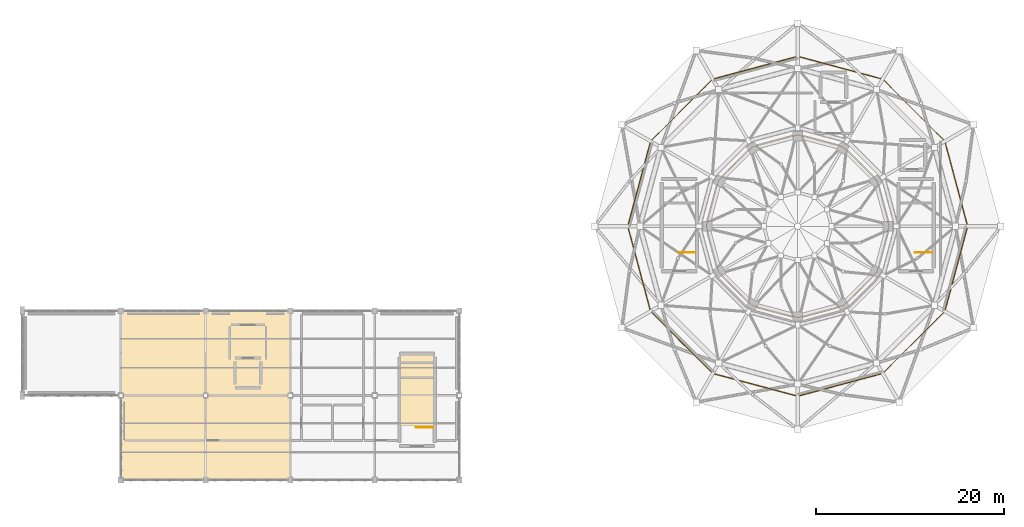
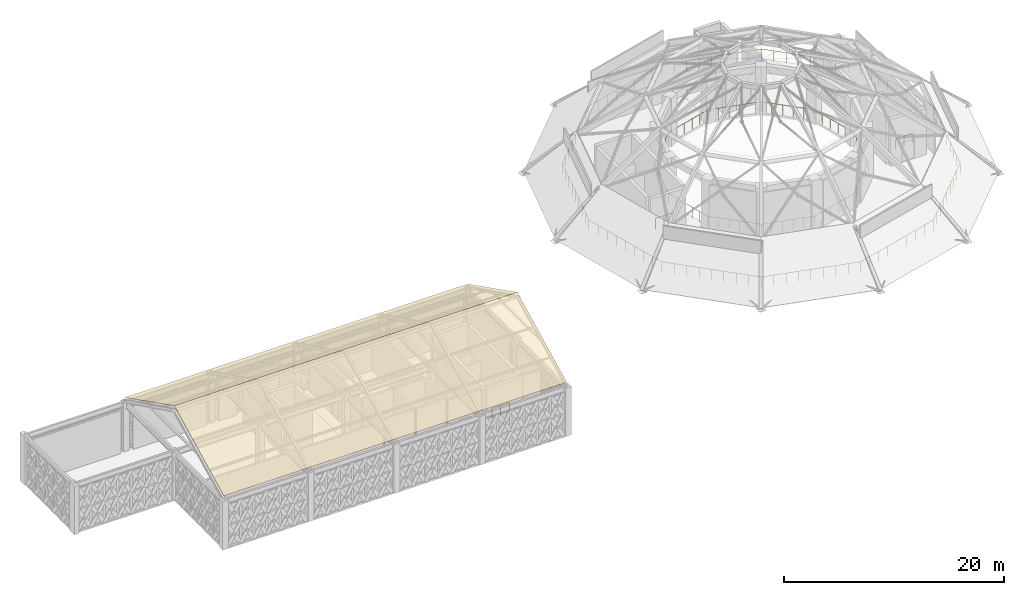
# One storey, part 32 of 32: 5 railings, 2 coverings.
"""IFC4 building model written with IfcOpenShell, lengths in metres."""

import ifcopenshell
import ifcopenshell.guid

model = None  # the IFC model being written
_history = None  # IfcOwnerHistory: only IFC2X3 demands one
_inside = {}  # id of a spatial element -> (the spatial element, [elements in it])
_under = {}  # id of a project, library or spatial element -> (it, [spatial elements below it])
_declared = {}  # id of a project -> (the project, [libraries it declares])
_typed = {}  # id of a type object -> (the type object, [elements of that type])
_made_of = {}  # id of a material, layer set ... -> (it, [elements and type objects made of it])


def new_model(schema):
    """Start an empty IFC model of exactly this schema.

    Asked for "IFC4X3", IfcOpenShell would pick the latest addendum, in which some entities
    have other attributes; the version numbers below select the first issue.
    IFC2X3 requires an IfcOwnerHistory on every rooted entity: one is made here for all.
    """
    global model, _history
    if schema == "IFC4X3":
        model = ifcopenshell.file(schema_version=(4, 3, 0, 0))
    else:
        model = ifcopenshell.file(schema=schema)
    _inside.clear()
    _under.clear()
    _declared.clear()
    _typed.clear()
    _made_of.clear()
    _history = None
    if model.schema == "IFC2X3":
        org = make("IfcOrganization", Name="unknown")
        user = make(
            "IfcPersonAndOrganization",
            ThePerson=make("IfcPerson", FamilyName="unknown"),
            TheOrganization=org,
        )
        app = make(
            "IfcApplication",
            ApplicationDeveloper=org,
            Version="unknown",
            ApplicationFullName="unknown",
            ApplicationIdentifier="unknown",
        )
        _history = make(
            "IfcOwnerHistory",
            OwningUser=user,
            OwningApplication=app,
            ChangeAction="ADDED",
            CreationDate=0,
        )
    return model


def make(cls, **values):
    """One entity of the class cls with the attributes given. An attribute that is None is left unset."""
    return model.create_entity(
        cls, **{name: value for name, value in values.items() if value is not None}
    )


def rooted(cls, **values):
    """An entity with a GlobalId (a new one), such as an element, a storey or a relation."""
    return make(cls, GlobalId=ifcopenshell.guid.new(), OwnerHistory=_history, **values)


def si_unit(unit_type, name, prefix=None):
    """IfcSIUnit, for example si_unit("LENGTHUNIT", "METRE", prefix="MILLI")."""
    return make("IfcSIUnit", UnitType=unit_type, Prefix=prefix, Name=name)


def assignment(units):
    """IfcUnitAssignment: the units of a project."""
    return None if units is None else make("IfcUnitAssignment", Units=units)


def point(xyz):
    """IfcCartesianPoint."""
    return None if xyz is None else make("IfcCartesianPoint", Coordinates=xyz)


def direction(xyz):
    """IfcDirection."""
    return None if xyz is None else make("IfcDirection", DirectionRatios=xyz)


def frame(location, z_axis=None, x_axis=None):
    """IfcAxis2Placement3D, a coordinate frame: its origin and axes. An axis left out is left unset."""
    return make(
        "IfcAxis2Placement3D",
        Location=point(location),
        Axis=direction(z_axis),
        RefDirection=direction(x_axis),
    )


def frame_2d(location, x_axis=None):
    """IfcAxis2Placement2D, a coordinate frame in the plane: its origin and x axis."""
    return make(
        "IfcAxis2Placement2D", Location=point(location), RefDirection=direction(x_axis)
    )


def origin():
    """The frame at (0, 0, 0) with its axes left unset."""
    return frame((0.0, 0.0, 0.0))


def origin_2d():
    """The frame at (0, 0) in the plane with its x axis left unset."""
    return frame_2d((0.0, 0.0))


def place(relative_to, where):
    """IfcLocalPlacement: puts the frame where relative to a parent placement (None: the world)."""
    return make(
        "IfcLocalPlacement", PlacementRelTo=relative_to, RelativePlacement=where
    )


def context(
    kind, dimensions, precision=None, world=None, true_north=None, identifier=None
):
    """IfcGeometricRepresentationContext, for example the 3D "Model" context."""
    return make(
        "IfcGeometricRepresentationContext",
        ContextIdentifier=identifier,
        ContextType=kind,
        CoordinateSpaceDimension=dimensions,
        Precision=precision,
        WorldCoordinateSystem=world,
        TrueNorth=true_north,
    )


def subcontext(parent, identifier, kind, view, scale=None):
    """IfcGeometricRepresentationSubContext, for example "Body" below "Model"."""
    return make(
        "IfcGeometricRepresentationSubContext",
        ContextIdentifier=identifier,
        ContextType=kind,
        ParentContext=parent,
        TargetScale=scale,
        TargetView=view,
    )


def project(units=None, contexts=None):
    """IfcProject with its units and contexts."""
    return rooted(
        "IfcProject",
        Name="project",
        RepresentationContexts=contexts,
        UnitsInContext=assignment(units),
    )


def spatial(cls, under=None, at=None, **own):
    """A site, building, storey or space (cls), placed at a placement, below another one or the project."""
    s = rooted(cls, ObjectPlacement=at, **own)
    if under is not None:
        _under.setdefault(under.id(), (under, []))[1].append(s)
    return s


def polyline(points):
    """IfcPolyline through the points."""
    return make("IfcPolyline", Points=[point(p) for p in points])


def profile(cls, at=None, kind="AREA", **sizes):
    """A parametric profile (cls). Its sizes go by their IFC names, for example OverallWidth=200.0."""
    return make(cls, ProfileType=kind, Position=at, **sizes)


def circle(**sizes):
    """IfcCircleProfileDef."""
    return profile("IfcCircleProfileDef", **sizes)


def outline(outer, holes=None, kind="AREA"):
    """IfcArbitraryClosedProfileDef: a profile drawn as a closed curve; with holes, ...WithVoids."""
    if holes is None:
        return make("IfcArbitraryClosedProfileDef", ProfileType=kind, OuterCurve=outer)
    return make(
        "IfcArbitraryProfileDefWithVoids",
        ProfileType=kind,
        OuterCurve=outer,
        InnerCurves=holes,
    )


def extrude(swept, where, along, depth):
    """IfcExtrudedAreaSolid: the profile swept, set in the frame where, extruded along a direction by depth."""
    return make(
        "IfcExtrudedAreaSolid",
        SweptArea=swept,
        Position=where,
        ExtrudedDirection=direction(along),
        Depth=depth,
    )


def shape(context_of_items, identifier, shape_type, items):
    """IfcShapeRepresentation: the items that make up one representation, for example the "Body"."""
    return make(
        "IfcShapeRepresentation",
        ContextOfItems=context_of_items,
        RepresentationIdentifier=identifier,
        RepresentationType=shape_type,
        Items=items,
    )


def material(Name=None, Category=None):
    """IfcMaterial."""
    return make("IfcMaterial", Name=Name, Category=Category)


def made_of(thing, what):
    """Note that an element or type object is made of a material, layer set ...; save() writes the relation."""
    if what is not None:
        _made_of.setdefault(what.id(), (what, []))[1].append(thing)
    return thing


def type_object(cls, material=None, **own):
    """A type object (cls), such as IfcWallType, which elements share."""
    return made_of(rooted(cls, **own), material)


def element(
    cls,
    number,
    at=None,
    inside=None,
    cuts=None,
    type_object=None,
    material=None,
    context=None,
    identifier="Body",
    shape_type=None,
    held_by="IfcProductDefinitionShape",
    body=None,
    shapes=None,
    **own,
):
    """One element of the class cls, such as IfcWall. Its Tag is "e" and its number.

    at: its placement. inside: the storey or other place that contains it. cuts: it is an
    opening in that element (IfcRelVoidsElement). A single representation is given by context,
    identifier, shape_type and body (its items); several are given by shapes. held_by: the class
    of the entity that holds the representations. save() writes the other relations.
    """
    e = rooted(cls, Tag="e%d" % number, ObjectPlacement=at, **own)
    if body is not None:
        shapes = [shape(context, identifier, shape_type, body)]
    if shapes is not None:
        e.Representation = make(held_by, Representations=shapes)
    if inside is not None:
        _inside.setdefault(inside.id(), (inside, []))[1].append(e)
    if cuts is not None:
        rooted(
            "IfcRelVoidsElement", RelatingBuildingElement=cuts, RelatedOpeningElement=e
        )
    if type_object is not None:
        _typed.setdefault(type_object.id(), (type_object, []))[1].append(e)
    return made_of(e, material)


def aggregate(whole, parts):
    """IfcRelAggregates: a whole, such as a stair, and the parts it consists of."""
    return rooted("IfcRelAggregates", RelatingObject=whole, RelatedObjects=parts)


def save(model, path):
    """Write the relations noted so far, then the file.

    IfcRelAggregates (storeys below a building ...), IfcRelContainedInSpatialStructure (elements
    in a storey), IfcRelDefinesByType, IfcRelAssociatesMaterial and IfcRelDeclares: one each for
    every whole, place, type object, material and project.
    """
    for whole, parts in _under.values():
        aggregate(whole, parts)
    for where, things in _inside.values():
        rooted(
            "IfcRelContainedInSpatialStructure",
            RelatedElements=things,
            RelatingStructure=where,
        )
    for kind, things in _typed.values():
        rooted("IfcRelDefinesByType", RelatedObjects=things, RelatingType=kind)
    for what, things in _made_of.values():
        rooted("IfcRelAssociatesMaterial", RelatedObjects=things, RelatingMaterial=what)
    for by, libraries in _declared.values():
        rooted("IfcRelDeclares", RelatingContext=by, RelatedDefinitions=libraries)
    model.write(path)


model = new_model("IFC4")

# Units and contexts
model_context = context("Model", 3, precision=1e-05, world=origin(), true_north=direction((0.0, 1.0)))
body_context = subcontext(model_context, "Body", "Model", "MODEL_VIEW")
ifc_project = project(units=[si_unit("LENGTHUNIT", "METRE"), si_unit("AREAUNIT", "SQUARE_METRE"), si_unit("VOLUMEUNIT", "CUBIC_METRE"), si_unit("PLANEANGLEUNIT", "RADIAN"), si_unit("MASSUNIT", "GRAM", prefix="KILO")], contexts=[model_context])

# Site, building, storey
site_placement = place(None, origin())
site = spatial("IfcSite", under=ifc_project, at=site_placement, CompositionType="ELEMENT")
building_placement = place(site_placement, origin())
building = spatial("IfcBuilding", under=site, at=building_placement, Name="Haizhuo Lancet Aquarium", CompositionType="ELEMENT")
storey_placement = place(building_placement, frame((0.0, 0.0, 27.0)))
storey = spatial("IfcBuildingStorey", under=building, at=storey_placement, Name="L05", CompositionType="ELEMENT", Elevation=27.0)

# Railings
ifc_material_1 = material(Name="Steel S355", Category="steel")
railing_type_1 = type_object("IfcRailingType", Name="RL-BAL-1150", PredefinedType="BALUSTRADE", material=ifc_material_1)
railing_1_placement = place(storey_placement, frame((18.080078125, 0.0, 0.0)))
element("IfcRailing", 1, at=railing_1_placement, inside=storey, type_object=railing_type_1, Name="L05 Ocean Tank dome observation ring balustrade", PredefinedType="BALUSTRADE", context=body_context, shape_type="SweptSolid", body=[
    extrude(circle(Radius=0.02392578125, at=origin_2d()), frame((-0.0078125, 0.029052734375, 1.1259765625), z_axis=(-0.258803889234, 0.965929887164, 0.0), x_axis=(-0.965929887164, -0.258803889234, 0.0)), (0.0, 0.0, 1.0), 9.298828125),
    extrude(circle(Radius=0.02392578125, at=origin_2d()), frame((-2.443359375, 9.061279296875, 1.1259765625), z_axis=(-0.707106781187, 0.707106781187, 0.0), x_axis=(-0.707106781187, -0.707106781187, 0.0)), (0.0, 0.0, 1.0), 9.299072265625),
    extrude(circle(Radius=0.02392578125, at=origin_2d()), frame((-9.069091796875, 15.665771484375, 1.1259765625), z_axis=(-0.965929887164, 0.258803889234, 0.0), x_axis=(-0.258803889234, -0.965929887164, 0.0)), (0.0, 0.0, 1.0), 9.298828125),
    extrude(circle(Radius=0.02392578125, at=origin_2d()), frame((-18.109130859375, 18.072265625, 1.1259765625), z_axis=(-0.965929887164, -0.258803889234, 0.0), x_axis=(0.258803889234, -0.965929887164, 0.0)), (0.0, 0.0, 1.0), 9.298828125),
    extrude(circle(Radius=0.02392578125, at=origin_2d()), frame((-27.141357421875, 15.63671875, 1.1259765625), z_axis=(-0.707106781187, -0.707106781187, 0.0), x_axis=(0.707106781187, -0.707106781187, 0.0)), (0.0, 0.0, 1.0), 9.299072265625),
    extrude(circle(Radius=0.02392578125, at=origin_2d()), frame((-33.745849609375, 9.010986328125, 1.1259765625), z_axis=(-0.258803889234, -0.965929887164, 0.0), x_axis=(0.965929887164, -0.258803889234, 0.0)), (0.0, 0.0, 1.0), 9.298828125),
    extrude(circle(Radius=0.02392578125, at=origin_2d()), frame((-36.15234375, -0.029052734375, 1.1259765625), z_axis=(0.258803889234, -0.965929887164, 0.0), x_axis=(0.965929887164, 0.258803889234, 0.0)), (0.0, 0.0, 1.0), 9.298828125),
    extrude(circle(Radius=0.02392578125, at=origin_2d()), frame((-33.716796875, -9.061279296875, 1.1259765625), z_axis=(0.707106781187, -0.707106781187, 0.0), x_axis=(0.707106781187, 0.707106781187, 0.0)), (0.0, 0.0, 1.0), 9.299072265625),
    extrude(circle(Radius=0.02392578125, at=origin_2d()), frame((-27.091064453125, -15.665771484375, 1.1259765625), z_axis=(0.965929887164, -0.258803889234, 0.0), x_axis=(0.258803889234, 0.965929887164, 0.0)), (0.0, 0.0, 1.0), 9.298828125),
    extrude(circle(Radius=0.02392578125, at=origin_2d()), frame((-18.051025390625, -18.072265625, 1.1259765625), z_axis=(0.965929887164, 0.258803889234, 0.0), x_axis=(-0.258803889234, 0.965929887164, 0.0)), (0.0, 0.0, 1.0), 9.298828125),
    extrude(circle(Radius=0.02392578125, at=origin_2d()), frame((-9.018798828125, -15.63671875, 1.1259765625), z_axis=(0.707106781187, 0.707106781187, 0.0), x_axis=(-0.707106781187, 0.707106781187, 0.0)), (0.0, 0.0, 1.0), 9.299072265625),
    extrude(circle(Radius=0.02392578125, at=origin_2d()), frame((-2.414306640625, -9.010986328125, 1.1259765625), z_axis=(0.258803889234, 0.965929887164, 0.0), x_axis=(-0.965929887164, 0.258803889234, 0.0)), (0.0, 0.0, 1.0), 9.298828125),
    extrude(circle(Radius=0.02099609375, at=origin_2d()), origin(), (0.0, 0.0, 1.0), 1.097900390625),
    extrude(circle(Radius=0.02099609375, at=origin_2d()), frame((-0.302734375, 1.1298828125, 0.0)), (0.0, 0.0, 1.0), 1.097900390625),
    extrude(circle(Radius=0.02099609375, at=origin_2d()), frame((-0.60546875, 2.260009765625, 0.0)), (0.0, 0.0, 1.0), 1.097900390625),
    extrude(circle(Radius=0.02099609375, at=origin_2d()), frame((-0.908203125, 3.39013671875, 0.0)), (0.0, 0.0, 1.0), 1.097900390625),
    extrude(circle(Radius=0.02099609375, at=origin_2d()), frame((-1.2109375, 4.52001953125, 0.0)), (0.0, 0.0, 1.0), 1.097900390625),
    extrude(circle(Radius=0.02099609375, at=origin_2d()), frame((-1.513916015625, 5.64990234375, 0.0)), (0.0, 0.0, 1.0), 1.097900390625),
    extrude(circle(Radius=0.02099609375, at=origin_2d()), frame((-1.816650390625, 6.780029296875, 0.0)), (0.0, 0.0, 1.0), 1.097900390625),
    extrude(circle(Radius=0.02099609375, at=origin_2d()), frame((-2.119384765625, 7.91015625, 0.0)), (0.0, 0.0, 1.0), 1.097900390625),
    extrude(circle(Radius=0.02099609375, at=origin_2d()), frame((-2.422119140625, 9.0400390625, 0.0)), (0.0, 0.0, 1.0), 1.097900390625),
    extrude(circle(Radius=0.02099609375, at=origin_2d()), frame((-3.249267578125, 9.8671875, 0.0)), (0.0, 0.0, 1.0), 1.097900390625),
    extrude(circle(Radius=0.02099609375, at=origin_2d()), frame((-4.07666015625, 10.694580078125, 0.0)), (0.0, 0.0, 1.0), 1.097900390625),
    extrude(circle(Radius=0.02099609375, at=origin_2d()), frame((-4.90380859375, 11.521728515625, 0.0)), (0.0, 0.0, 1.0), 1.097900390625),
    extrude(circle(Radius=0.02099609375, at=origin_2d()), frame((-5.73095703125, 12.34912109375, 0.0)), (0.0, 0.0, 1.0), 1.097900390625),
    extrude(circle(Radius=0.02099609375, at=origin_2d()), frame((-6.558349609375, 13.17626953125, 0.0)), (0.0, 0.0, 1.0), 1.097900390625),
    extrude(circle(Radius=0.02099609375, at=origin_2d()), frame((-7.385498046875, 14.00341796875, 0.0)), (0.0, 0.0, 1.0), 1.097900390625),
    extrude(circle(Radius=0.02099609375, at=origin_2d()), frame((-8.212890625, 14.830810546875, 0.0)), (0.0, 0.0, 1.0), 1.097900390625),
    extrude(circle(Radius=0.02099609375, at=origin_2d()), frame((-9.0400390625, 15.657958984375, 0.0)), (0.0, 0.0, 1.0), 1.097900390625),
    extrude(circle(Radius=0.02099609375, at=origin_2d()), frame((-10.169921875, 15.960693359375, 0.0)), (0.0, 0.0, 1.0), 1.097900390625),
    extrude(circle(Radius=0.02099609375, at=origin_2d()), frame((-11.300048828125, 16.263427734375, 0.0)), (0.0, 0.0, 1.0), 1.097900390625),
    extrude(circle(Radius=0.02099609375, at=origin_2d()), frame((-12.43017578125, 16.566162109375, 0.0)), (0.0, 0.0, 1.0), 1.097900390625),
    extrude(circle(Radius=0.02099609375, at=origin_2d()), frame((-13.56005859375, 16.869140625, 0.0)), (0.0, 0.0, 1.0), 1.097900390625),
    extrude(circle(Radius=0.02099609375, at=origin_2d()), frame((-14.68994140625, 17.171875, 0.0)), (0.0, 0.0, 1.0), 1.097900390625),
    extrude(circle(Radius=0.02099609375, at=origin_2d()), frame((-15.820068359375, 17.474609375, 0.0)), (0.0, 0.0, 1.0), 1.097900390625),
    extrude(circle(Radius=0.02099609375, at=origin_2d()), frame((-16.9501953125, 17.77734375, 0.0)), (0.0, 0.0, 1.0), 1.097900390625),
    extrude(circle(Radius=0.02099609375, at=origin_2d()), frame((-18.080078125, 18.080078125, 0.0)), (0.0, 0.0, 1.0), 1.097900390625),
    extrude(circle(Radius=0.02099609375, at=origin_2d()), frame((-19.2099609375, 17.77734375, 0.0)), (0.0, 0.0, 1.0), 1.097900390625),
    extrude(circle(Radius=0.02099609375, at=origin_2d()), frame((-20.340087890625, 17.474609375, 0.0)), (0.0, 0.0, 1.0), 1.097900390625),
    extrude(circle(Radius=0.02099609375, at=origin_2d()), frame((-21.47021484375, 17.171875, 0.0)), (0.0, 0.0, 1.0), 1.097900390625),
    extrude(circle(Radius=0.02099609375, at=origin_2d()), frame((-22.60009765625, 16.869140625, 0.0)), (0.0, 0.0, 1.0), 1.097900390625),
    extrude(circle(Radius=0.02099609375, at=origin_2d()), frame((-23.72998046875, 16.566162109375, 0.0)), (0.0, 0.0, 1.0), 1.097900390625),
    extrude(circle(Radius=0.02099609375, at=origin_2d()), frame((-24.860107421875, 16.263427734375, 0.0)), (0.0, 0.0, 1.0), 1.097900390625),
    extrude(circle(Radius=0.02099609375, at=origin_2d()), frame((-25.990234375, 15.960693359375, 0.0)), (0.0, 0.0, 1.0), 1.097900390625),
    extrude(circle(Radius=0.02099609375, at=origin_2d()), frame((-27.1201171875, 15.657958984375, 0.0)), (0.0, 0.0, 1.0), 1.097900390625),
    extrude(circle(Radius=0.02099609375, at=origin_2d()), frame((-27.947265625, 14.830810546875, 0.0)), (0.0, 0.0, 1.0), 1.097900390625),
    extrude(circle(Radius=0.02099609375, at=origin_2d()), frame((-28.774658203125, 14.00341796875, 0.0)), (0.0, 0.0, 1.0), 1.097900390625),
    extrude(circle(Radius=0.02099609375, at=origin_2d()), frame((-29.601806640625, 13.17626953125, 0.0)), (0.0, 0.0, 1.0), 1.097900390625),
    extrude(circle(Radius=0.02099609375, at=origin_2d()), frame((-30.42919921875, 12.34912109375, 0.0)), (0.0, 0.0, 1.0), 1.097900390625),
    extrude(circle(Radius=0.02099609375, at=origin_2d()), frame((-31.25634765625, 11.521728515625, 0.0)), (0.0, 0.0, 1.0), 1.097900390625),
    extrude(circle(Radius=0.02099609375, at=origin_2d()), frame((-32.08349609375, 10.694580078125, 0.0)), (0.0, 0.0, 1.0), 1.097900390625),
    extrude(circle(Radius=0.02099609375, at=origin_2d()), frame((-32.910888671875, 9.8671875, 0.0)), (0.0, 0.0, 1.0), 1.097900390625),
    extrude(circle(Radius=0.02099609375, at=origin_2d()), frame((-33.738037109375, 9.0400390625, 0.0)), (0.0, 0.0, 1.0), 1.097900390625),
    extrude(circle(Radius=0.02099609375, at=origin_2d()), frame((-34.040771484375, 7.91015625, 0.0)), (0.0, 0.0, 1.0), 1.097900390625),
    extrude(circle(Radius=0.02099609375, at=origin_2d()), frame((-34.343505859375, 6.780029296875, 0.0)), (0.0, 0.0, 1.0), 1.097900390625),
    extrude(circle(Radius=0.02099609375, at=origin_2d()), frame((-34.646240234375, 5.64990234375, 0.0)), (0.0, 0.0, 1.0), 1.097900390625),
    extrude(circle(Radius=0.02099609375, at=origin_2d()), frame((-34.94921875, 4.52001953125, 0.0)), (0.0, 0.0, 1.0), 1.097900390625),
    extrude(circle(Radius=0.02099609375, at=origin_2d()), frame((-35.251953125, 3.39013671875, 0.0)), (0.0, 0.0, 1.0), 1.097900390625),
    extrude(circle(Radius=0.02099609375, at=origin_2d()), frame((-35.5546875, 2.260009765625, 0.0)), (0.0, 0.0, 1.0), 1.097900390625),
    extrude(circle(Radius=0.02099609375, at=origin_2d()), frame((-35.857421875, 1.1298828125, 0.0)), (0.0, 0.0, 1.0), 1.097900390625),
    extrude(circle(Radius=0.02099609375, at=origin_2d()), frame((-36.16015625, 0.0, 0.0)), (0.0, 0.0, 1.0), 1.097900390625),
    extrude(circle(Radius=0.02099609375, at=origin_2d()), frame((-35.857421875, -1.1298828125, 0.0)), (0.0, 0.0, 1.0), 1.097900390625),
    extrude(circle(Radius=0.02099609375, at=origin_2d()), frame((-35.5546875, -2.260009765625, 0.0)), (0.0, 0.0, 1.0), 1.097900390625),
    extrude(circle(Radius=0.02099609375, at=origin_2d()), frame((-35.251953125, -3.39013671875, 0.0)), (0.0, 0.0, 1.0), 1.097900390625),
    extrude(circle(Radius=0.02099609375, at=origin_2d()), frame((-34.94921875, -4.52001953125, 0.0)), (0.0, 0.0, 1.0), 1.097900390625),
    extrude(circle(Radius=0.02099609375, at=origin_2d()), frame((-34.646240234375, -5.64990234375, 0.0)), (0.0, 0.0, 1.0), 1.097900390625),
    extrude(circle(Radius=0.02099609375, at=origin_2d()), frame((-34.343505859375, -6.780029296875, 0.0)), (0.0, 0.0, 1.0), 1.097900390625),
    extrude(circle(Radius=0.02099609375, at=origin_2d()), frame((-34.040771484375, -7.91015625, 0.0)), (0.0, 0.0, 1.0), 1.097900390625),
    extrude(circle(Radius=0.02099609375, at=origin_2d()), frame((-33.738037109375, -9.0400390625, 0.0)), (0.0, 0.0, 1.0), 1.097900390625),
    extrude(circle(Radius=0.02099609375, at=origin_2d()), frame((-32.910888671875, -9.8671875, 0.0)), (0.0, 0.0, 1.0), 1.097900390625),
    extrude(circle(Radius=0.02099609375, at=origin_2d()), frame((-32.08349609375, -10.694580078125, 0.0)), (0.0, 0.0, 1.0), 1.097900390625),
    extrude(circle(Radius=0.02099609375, at=origin_2d()), frame((-31.25634765625, -11.521728515625, 0.0)), (0.0, 0.0, 1.0), 1.097900390625),
    extrude(circle(Radius=0.02099609375, at=origin_2d()), frame((-30.42919921875, -12.34912109375, 0.0)), (0.0, 0.0, 1.0), 1.097900390625),
    extrude(circle(Radius=0.02099609375, at=origin_2d()), frame((-29.601806640625, -13.17626953125, 0.0)), (0.0, 0.0, 1.0), 1.097900390625),
    extrude(circle(Radius=0.02099609375, at=origin_2d()), frame((-28.774658203125, -14.00341796875, 0.0)), (0.0, 0.0, 1.0), 1.097900390625),
    extrude(circle(Radius=0.02099609375, at=origin_2d()), frame((-27.947265625, -14.830810546875, 0.0)), (0.0, 0.0, 1.0), 1.097900390625),
    extrude(circle(Radius=0.02099609375, at=origin_2d()), frame((-27.1201171875, -15.657958984375, 0.0)), (0.0, 0.0, 1.0), 1.097900390625),
    extrude(circle(Radius=0.02099609375, at=origin_2d()), frame((-25.990234375, -15.960693359375, 0.0)), (0.0, 0.0, 1.0), 1.097900390625),
    extrude(circle(Radius=0.02099609375, at=origin_2d()), frame((-24.860107421875, -16.263427734375, 0.0)), (0.0, 0.0, 1.0), 1.097900390625),
    extrude(circle(Radius=0.02099609375, at=origin_2d()), frame((-23.72998046875, -16.566162109375, 0.0)), (0.0, 0.0, 1.0), 1.097900390625),
    extrude(circle(Radius=0.02099609375, at=origin_2d()), frame((-22.60009765625, -16.869140625, 0.0)), (0.0, 0.0, 1.0), 1.097900390625),
    extrude(circle(Radius=0.02099609375, at=origin_2d()), frame((-21.47021484375, -17.171875, 0.0)), (0.0, 0.0, 1.0), 1.097900390625),
    extrude(circle(Radius=0.02099609375, at=origin_2d()), frame((-20.340087890625, -17.474609375, 0.0)), (0.0, 0.0, 1.0), 1.097900390625),
    extrude(circle(Radius=0.02099609375, at=origin_2d()), frame((-19.2099609375, -17.77734375, 0.0)), (0.0, 0.0, 1.0), 1.097900390625),
    extrude(circle(Radius=0.02099609375, at=origin_2d()), frame((-18.080078125, -18.080078125, 0.0)), (0.0, 0.0, 1.0), 1.097900390625),
    extrude(circle(Radius=0.02099609375, at=origin_2d()), frame((-16.9501953125, -17.77734375, 0.0)), (0.0, 0.0, 1.0), 1.097900390625),
    extrude(circle(Radius=0.02099609375, at=origin_2d()), frame((-15.820068359375, -17.474609375, 0.0)), (0.0, 0.0, 1.0), 1.097900390625),
    extrude(circle(Radius=0.02099609375, at=origin_2d()), frame((-14.68994140625, -17.171875, 0.0)), (0.0, 0.0, 1.0), 1.097900390625),
    extrude(circle(Radius=0.02099609375, at=origin_2d()), frame((-13.56005859375, -16.869140625, 0.0)), (0.0, 0.0, 1.0), 1.097900390625),
    extrude(circle(Radius=0.02099609375, at=origin_2d()), frame((-12.43017578125, -16.566162109375, 0.0)), (0.0, 0.0, 1.0), 1.097900390625),
    extrude(circle(Radius=0.02099609375, at=origin_2d()), frame((-11.300048828125, -16.263427734375, 0.0)), (0.0, 0.0, 1.0), 1.097900390625),
    extrude(circle(Radius=0.02099609375, at=origin_2d()), frame((-10.169921875, -15.960693359375, 0.0)), (0.0, 0.0, 1.0), 1.097900390625),
    extrude(circle(Radius=0.02099609375, at=origin_2d()), frame((-9.0400390625, -15.657958984375, 0.0)), (0.0, 0.0, 1.0), 1.097900390625),
    extrude(circle(Radius=0.02099609375, at=origin_2d()), frame((-8.212890625, -14.830810546875, 0.0)), (0.0, 0.0, 1.0), 1.097900390625),
    extrude(circle(Radius=0.02099609375, at=origin_2d()), frame((-7.385498046875, -14.00341796875, 0.0)), (0.0, 0.0, 1.0), 1.097900390625),
    extrude(circle(Radius=0.02099609375, at=origin_2d()), frame((-6.558349609375, -13.17626953125, 0.0)), (0.0, 0.0, 1.0), 1.097900390625),
    extrude(circle(Radius=0.02099609375, at=origin_2d()), frame((-5.73095703125, -12.34912109375, 0.0)), (0.0, 0.0, 1.0), 1.097900390625),
    extrude(circle(Radius=0.02099609375, at=origin_2d()), frame((-4.90380859375, -11.521728515625, 0.0)), (0.0, 0.0, 1.0), 1.097900390625),
    extrude(circle(Radius=0.02099609375, at=origin_2d()), frame((-4.07666015625, -10.694580078125, 0.0)), (0.0, 0.0, 1.0), 1.097900390625),
    extrude(circle(Radius=0.02099609375, at=origin_2d()), frame((-3.249267578125, -9.8671875, 0.0)), (0.0, 0.0, 1.0), 1.097900390625),
    extrude(circle(Radius=0.02099609375, at=origin_2d()), frame((-2.422119140625, -9.0400390625, 0.0)), (0.0, 0.0, 1.0), 1.097900390625),
    extrude(circle(Radius=0.02099609375, at=origin_2d()), frame((-2.119384765625, -7.91015625, 0.0)), (0.0, 0.0, 1.0), 1.097900390625),
    extrude(circle(Radius=0.02099609375, at=origin_2d()), frame((-1.816650390625, -6.780029296875, 0.0)), (0.0, 0.0, 1.0), 1.097900390625),
    extrude(circle(Radius=0.02099609375, at=origin_2d()), frame((-1.513916015625, -5.64990234375, 0.0)), (0.0, 0.0, 1.0), 1.097900390625),
    extrude(circle(Radius=0.02099609375, at=origin_2d()), frame((-1.2109375, -4.52001953125, 0.0)), (0.0, 0.0, 1.0), 1.097900390625),
    extrude(circle(Radius=0.02099609375, at=origin_2d()), frame((-0.908203125, -3.39013671875, 0.0)), (0.0, 0.0, 1.0), 1.097900390625),
    extrude(circle(Radius=0.02099609375, at=origin_2d()), frame((-0.60546875, -2.260009765625, 0.0)), (0.0, 0.0, 1.0), 1.097900390625),
    extrude(circle(Radius=0.02099609375, at=origin_2d()), frame((-0.302734375, -1.1298828125, 0.0)), (0.0, 0.0, 1.0), 1.097900390625),
])
railing_type_2 = type_object("IfcRailingType", Name="RL-GRD-1150", PredefinedType="GUARDRAIL", material=ifc_material_1)
for number, where, name in (
    (2, (-10.89990234375, -2.800048828125, 0.0), "L05 ST-01 top well guard 1"),
    (3, (14.300048828125, -2.800048828125, 0.0), "L05 ST-02 top well guard 1"),
    (4, (-38.800048828125, -21.39990234375, 0.0), "L05 ST-09 top well guard 1"),
):
    element("IfcRailing", number, at=place(storey_placement, frame(where)), inside=storey, type_object=railing_type_2, Name=name, PredefinedType="GUARDRAIL", context=body_context, shape_type="SweptSolid", body=[
        extrude(circle(Radius=0.02392578125, at=origin_2d()), frame((-0.030029296875, 0.0, 1.1259765625), z_axis=(-1.0, 0.0, 0.0), x_axis=(0.0, -1.0, 0.0)), (0.0, 0.0, 1.0), 1.739990234375),
        extrude(circle(Radius=0.02099609375, at=origin_2d()), origin(), (0.0, 0.0, 1.0), 1.097900390625),
        extrude(circle(Radius=0.02099609375, at=origin_2d()), frame((-0.89990234375, 0.0, 0.0)), (0.0, 0.0, 1.0), 1.097900390625),
        extrude(circle(Radius=0.02099609375, at=origin_2d()), frame((-1.800048828125, 0.0, 0.0)), (0.0, 0.0, 1.0), 1.097900390625),
    ])
railing_2_placement = place(storey_placement, frame((9.719970703125, 0.0, 0.0)))
element("IfcRailing", 5, at=railing_2_placement, inside=storey, type_object=railing_type_2, Name="L05 Ocean Tank overlook guardrail", PredefinedType="GUARDRAIL", context=body_context, shape_type="SweptSolid", body=[
    extrude(circle(Radius=0.02392578125, at=origin_2d()), frame((-0.0078125, 0.029052734375, 1.1259765625), z_axis=(-0.258770849216, 0.965938739049, 0.0), x_axis=(-0.965938739049, -0.258770849216, 0.0)), (0.0, 0.0, 1.0), 4.971435546875),
    extrude(circle(Radius=0.02392578125, at=origin_2d()), frame((-1.3232421875, 4.88134765625, 1.1259765625), z_axis=(-0.707106781187, 0.707106781187, 0.0), x_axis=(-0.707106781187, -0.707106781187, 0.0)), (0.0, 0.0, 1.0), 4.9716796875),
    extrude(circle(Radius=0.02392578125, at=origin_2d()), frame((-4.888916015625, 8.42578125, 1.1259765625), z_axis=(-0.965938739049, 0.258770849216, 0.0), x_axis=(-0.258770849216, -0.965938739049, 0.0)), (0.0, 0.0, 1.0), 4.971435546875),
    extrude(circle(Radius=0.02392578125, at=origin_2d()), frame((-9.7490234375, 9.712158203125, 1.1259765625), z_axis=(-0.965938739049, -0.258770849216, 0.0), x_axis=(0.258770849216, -0.965938739049, 0.0)), (0.0, 0.0, 1.0), 4.971435546875),
    extrude(circle(Radius=0.02392578125, at=origin_2d()), frame((-14.601318359375, 8.396728515625, 1.1259765625), z_axis=(-0.707106781187, -0.707106781187, 0.0), x_axis=(0.707106781187, -0.707106781187, 0.0)), (0.0, 0.0, 1.0), 4.9716796875),
    extrude(circle(Radius=0.02392578125, at=origin_2d()), frame((-18.145751953125, 4.8310546875, 1.1259765625), z_axis=(-0.258770849216, -0.965938739049, 0.0), x_axis=(0.965938739049, -0.258770849216, 0.0)), (0.0, 0.0, 1.0), 4.971435546875),
    extrude(circle(Radius=0.02392578125, at=origin_2d()), frame((-19.43212890625, -0.029052734375, 1.1259765625), z_axis=(0.258770849216, -0.965938739049, 0.0), x_axis=(0.965938739049, 0.258770849216, 0.0)), (0.0, 0.0, 1.0), 4.971435546875),
    extrude(circle(Radius=0.02392578125, at=origin_2d()), frame((-18.11669921875, -4.88134765625, 1.1259765625), z_axis=(0.707106781187, -0.707106781187, 0.0), x_axis=(0.707106781187, 0.707106781187, 0.0)), (0.0, 0.0, 1.0), 4.9716796875),
    extrude(circle(Radius=0.02392578125, at=origin_2d()), frame((-14.551025390625, -8.42578125, 1.1259765625), z_axis=(0.965938739049, -0.258770849216, 0.0), x_axis=(0.258770849216, 0.965938739049, 0.0)), (0.0, 0.0, 1.0), 4.971435546875),
    extrude(circle(Radius=0.02392578125, at=origin_2d()), frame((-9.69091796875, -9.712158203125, 1.1259765625), z_axis=(0.965938739049, 0.258770849216, 0.0), x_axis=(-0.258770849216, 0.965938739049, 0.0)), (0.0, 0.0, 1.0), 4.971435546875),
    extrude(circle(Radius=0.02392578125, at=origin_2d()), frame((-4.838623046875, -8.396728515625, 1.1259765625), z_axis=(0.707106781187, 0.707106781187, 0.0), x_axis=(-0.707106781187, 0.707106781187, 0.0)), (0.0, 0.0, 1.0), 4.9716796875),
    extrude(circle(Radius=0.02392578125, at=origin_2d()), frame((-1.294189453125, -4.8310546875, 1.1259765625), z_axis=(0.258770849216, 0.965938739049, 0.0), x_axis=(-0.965938739049, 0.258770849216, 0.0)), (0.0, 0.0, 1.0), 4.971435546875),
    extrude(circle(Radius=0.02099609375, at=origin_2d()), origin(), (0.0, 0.0, 1.0), 1.097900390625),
    extrude(circle(Radius=0.02099609375, at=origin_2d()), frame((-0.260498046875, 0.971923828125, 0.0)), (0.0, 0.0, 1.0), 1.097900390625),
    extrude(circle(Radius=0.02099609375, at=origin_2d()), frame((-0.520751953125, 1.944091796875, 0.0)), (0.0, 0.0, 1.0), 1.097900390625),
    extrude(circle(Radius=0.02099609375, at=origin_2d()), frame((-0.78125, 2.916015625, 0.0)), (0.0, 0.0, 1.0), 1.097900390625),
    extrude(circle(Radius=0.02099609375, at=origin_2d()), frame((-1.04150390625, 3.88818359375, 0.0)), (0.0, 0.0, 1.0), 1.097900390625),
    extrude(circle(Radius=0.02099609375, at=origin_2d()), frame((-1.302001953125, 4.860107421875, 0.0)), (0.0, 0.0, 1.0), 1.097900390625),
    extrude(circle(Radius=0.02099609375, at=origin_2d()), frame((-2.013671875, 5.57177734375, 0.0)), (0.0, 0.0, 1.0), 1.097900390625),
    extrude(circle(Radius=0.02099609375, at=origin_2d()), frame((-2.72509765625, 6.283203125, 0.0)), (0.0, 0.0, 1.0), 1.097900390625),
    extrude(circle(Radius=0.02099609375, at=origin_2d()), frame((-3.436767578125, 6.994873046875, 0.0)), (0.0, 0.0, 1.0), 1.097900390625),
    extrude(circle(Radius=0.02099609375, at=origin_2d()), frame((-4.148193359375, 7.706298828125, 0.0)), (0.0, 0.0, 1.0), 1.097900390625),
    extrude(circle(Radius=0.02099609375, at=origin_2d()), frame((-4.85986328125, 8.41796875, 0.0)), (0.0, 0.0, 1.0), 1.097900390625),
    extrude(circle(Radius=0.02099609375, at=origin_2d()), frame((-5.831787109375, 8.678466796875, 0.0)), (0.0, 0.0, 1.0), 1.097900390625),
    extrude(circle(Radius=0.02099609375, at=origin_2d()), frame((-6.803955078125, 8.938720703125, 0.0)), (0.0, 0.0, 1.0), 1.097900390625),
    extrude(circle(Radius=0.02099609375, at=origin_2d()), frame((-7.77587890625, 9.19921875, 0.0)), (0.0, 0.0, 1.0), 1.097900390625),
    extrude(circle(Radius=0.02099609375, at=origin_2d()), frame((-8.748046875, 9.45947265625, 0.0)), (0.0, 0.0, 1.0), 1.097900390625),
    extrude(circle(Radius=0.02099609375, at=origin_2d()), frame((-9.719970703125, 9.719970703125, 0.0)), (0.0, 0.0, 1.0), 1.097900390625),
    extrude(circle(Radius=0.02099609375, at=origin_2d()), frame((-10.69189453125, 9.45947265625, 0.0)), (0.0, 0.0, 1.0), 1.097900390625),
    extrude(circle(Radius=0.02099609375, at=origin_2d()), frame((-11.6640625, 9.19921875, 0.0)), (0.0, 0.0, 1.0), 1.097900390625),
    extrude(circle(Radius=0.02099609375, at=origin_2d()), frame((-12.635986328125, 8.938720703125, 0.0)), (0.0, 0.0, 1.0), 1.097900390625),
    extrude(circle(Radius=0.02099609375, at=origin_2d()), frame((-13.608154296875, 8.678466796875, 0.0)), (0.0, 0.0, 1.0), 1.097900390625),
    extrude(circle(Radius=0.02099609375, at=origin_2d()), frame((-14.580078125, 8.41796875, 0.0)), (0.0, 0.0, 1.0), 1.097900390625),
    extrude(circle(Radius=0.02099609375, at=origin_2d()), frame((-15.291748046875, 7.706298828125, 0.0)), (0.0, 0.0, 1.0), 1.097900390625),
    extrude(circle(Radius=0.02099609375, at=origin_2d()), frame((-16.003173828125, 6.994873046875, 0.0)), (0.0, 0.0, 1.0), 1.097900390625),
    extrude(circle(Radius=0.02099609375, at=origin_2d()), frame((-16.71484375, 6.283203125, 0.0)), (0.0, 0.0, 1.0), 1.097900390625),
    extrude(circle(Radius=0.02099609375, at=origin_2d()), frame((-17.42626953125, 5.57177734375, 0.0)), (0.0, 0.0, 1.0), 1.097900390625),
    extrude(circle(Radius=0.02099609375, at=origin_2d()), frame((-18.137939453125, 4.860107421875, 0.0)), (0.0, 0.0, 1.0), 1.097900390625),
    extrude(circle(Radius=0.02099609375, at=origin_2d()), frame((-18.3984375, 3.88818359375, 0.0)), (0.0, 0.0, 1.0), 1.097900390625),
    extrude(circle(Radius=0.02099609375, at=origin_2d()), frame((-18.65869140625, 2.916015625, 0.0)), (0.0, 0.0, 1.0), 1.097900390625),
    extrude(circle(Radius=0.02099609375, at=origin_2d()), frame((-18.919189453125, 1.944091796875, 0.0)), (0.0, 0.0, 1.0), 1.097900390625),
    extrude(circle(Radius=0.02099609375, at=origin_2d()), frame((-19.179443359375, 0.971923828125, 0.0)), (0.0, 0.0, 1.0), 1.097900390625),
    extrude(circle(Radius=0.02099609375, at=origin_2d()), frame((-19.43994140625, 0.0, 0.0)), (0.0, 0.0, 1.0), 1.097900390625),
    extrude(circle(Radius=0.02099609375, at=origin_2d()), frame((-19.179443359375, -0.971923828125, 0.0)), (0.0, 0.0, 1.0), 1.097900390625),
    extrude(circle(Radius=0.02099609375, at=origin_2d()), frame((-18.919189453125, -1.944091796875, 0.0)), (0.0, 0.0, 1.0), 1.097900390625),
    extrude(circle(Radius=0.02099609375, at=origin_2d()), frame((-18.65869140625, -2.916015625, 0.0)), (0.0, 0.0, 1.0), 1.097900390625),
    extrude(circle(Radius=0.02099609375, at=origin_2d()), frame((-18.3984375, -3.88818359375, 0.0)), (0.0, 0.0, 1.0), 1.097900390625),
    extrude(circle(Radius=0.02099609375, at=origin_2d()), frame((-18.137939453125, -4.860107421875, 0.0)), (0.0, 0.0, 1.0), 1.097900390625),
    extrude(circle(Radius=0.02099609375, at=origin_2d()), frame((-17.42626953125, -5.57177734375, 0.0)), (0.0, 0.0, 1.0), 1.097900390625),
    extrude(circle(Radius=0.02099609375, at=origin_2d()), frame((-16.71484375, -6.283203125, 0.0)), (0.0, 0.0, 1.0), 1.097900390625),
    extrude(circle(Radius=0.02099609375, at=origin_2d()), frame((-16.003173828125, -6.994873046875, 0.0)), (0.0, 0.0, 1.0), 1.097900390625),
    extrude(circle(Radius=0.02099609375, at=origin_2d()), frame((-15.291748046875, -7.706298828125, 0.0)), (0.0, 0.0, 1.0), 1.097900390625),
    extrude(circle(Radius=0.02099609375, at=origin_2d()), frame((-14.580078125, -8.41796875, 0.0)), (0.0, 0.0, 1.0), 1.097900390625),
    extrude(circle(Radius=0.02099609375, at=origin_2d()), frame((-13.608154296875, -8.678466796875, 0.0)), (0.0, 0.0, 1.0), 1.097900390625),
    extrude(circle(Radius=0.02099609375, at=origin_2d()), frame((-12.635986328125, -8.938720703125, 0.0)), (0.0, 0.0, 1.0), 1.097900390625),
    extrude(circle(Radius=0.02099609375, at=origin_2d()), frame((-11.6640625, -9.19921875, 0.0)), (0.0, 0.0, 1.0), 1.097900390625),
    extrude(circle(Radius=0.02099609375, at=origin_2d()), frame((-10.69189453125, -9.45947265625, 0.0)), (0.0, 0.0, 1.0), 1.097900390625),
    extrude(circle(Radius=0.02099609375, at=origin_2d()), frame((-9.719970703125, -9.719970703125, 0.0)), (0.0, 0.0, 1.0), 1.097900390625),
    extrude(circle(Radius=0.02099609375, at=origin_2d()), frame((-8.748046875, -9.45947265625, 0.0)), (0.0, 0.0, 1.0), 1.097900390625),
    extrude(circle(Radius=0.02099609375, at=origin_2d()), frame((-7.77587890625, -9.19921875, 0.0)), (0.0, 0.0, 1.0), 1.097900390625),
    extrude(circle(Radius=0.02099609375, at=origin_2d()), frame((-6.803955078125, -8.938720703125, 0.0)), (0.0, 0.0, 1.0), 1.097900390625),
    extrude(circle(Radius=0.02099609375, at=origin_2d()), frame((-5.831787109375, -8.678466796875, 0.0)), (0.0, 0.0, 1.0), 1.097900390625),
    extrude(circle(Radius=0.02099609375, at=origin_2d()), frame((-4.85986328125, -8.41796875, 0.0)), (0.0, 0.0, 1.0), 1.097900390625),
    extrude(circle(Radius=0.02099609375, at=origin_2d()), frame((-4.148193359375, -7.706298828125, 0.0)), (0.0, 0.0, 1.0), 1.097900390625),
    extrude(circle(Radius=0.02099609375, at=origin_2d()), frame((-3.436767578125, -6.994873046875, 0.0)), (0.0, 0.0, 1.0), 1.097900390625),
    extrude(circle(Radius=0.02099609375, at=origin_2d()), frame((-2.72509765625, -6.283203125, 0.0)), (0.0, 0.0, 1.0), 1.097900390625),
    extrude(circle(Radius=0.02099609375, at=origin_2d()), frame((-2.013671875, -5.57177734375, 0.0)), (0.0, 0.0, 1.0), 1.097900390625),
    extrude(circle(Radius=0.02099609375, at=origin_2d()), frame((-1.302001953125, -4.860107421875, 0.0)), (0.0, 0.0, 1.0), 1.097900390625),
    extrude(circle(Radius=0.02099609375, at=origin_2d()), frame((-1.04150390625, -3.88818359375, 0.0)), (0.0, 0.0, 1.0), 1.097900390625),
    extrude(circle(Radius=0.02099609375, at=origin_2d()), frame((-0.78125, -2.916015625, 0.0)), (0.0, 0.0, 1.0), 1.097900390625),
    extrude(circle(Radius=0.02099609375, at=origin_2d()), frame((-0.520751953125, -1.944091796875, 0.0)), (0.0, 0.0, 1.0), 1.097900390625),
    extrude(circle(Radius=0.02099609375, at=origin_2d()), frame((-0.260498046875, -0.971923828125, 0.0)), (0.0, 0.0, 1.0), 1.097900390625),
])

# Coverings
ifc_material_2 = material(Name="Standing-Seam Titanium Zinc", Category="steel")
covering_type = type_object("IfcCoveringType", Name="COV-RF-ZINC", PredefinedType="ROOFING", material=ifc_material_2)
for number, where, z_axis, x_axis, name in (
    (6, (-72.0, -27.0, 5.764892578125), (0.0, -0.450388389741, 0.892832738192), (1.0, 0.0, 0.0), "V6 standing-seam titanium zinc roofing S"),
    (7, (-36.0, -9.0, 5.764892578125), (0.0, 0.450388389741, 0.892832738192), (-1.0, 0.0, 0.0), "V6 standing-seam titanium zinc roofing N"),
):
    element("IfcCovering", number, at=place(storey_placement, frame(where, z_axis=z_axis, x_axis=x_axis)), inside=storey, type_object=covering_type, material=ifc_material_2, Name=name, PredefinedType="ROOFING", context=body_context, shape_type="SweptSolid", body=[
        extrude(outline(polyline([(0.0, 0.0), (36.0, 0.0), (36.0, 10.080275526444), (0.0, 10.080275526444), (0.0, 0.0)])), origin(), (0.0, 0.0, -1.0), 0.02490234375),
    ])

save(model, "model.ifc")
